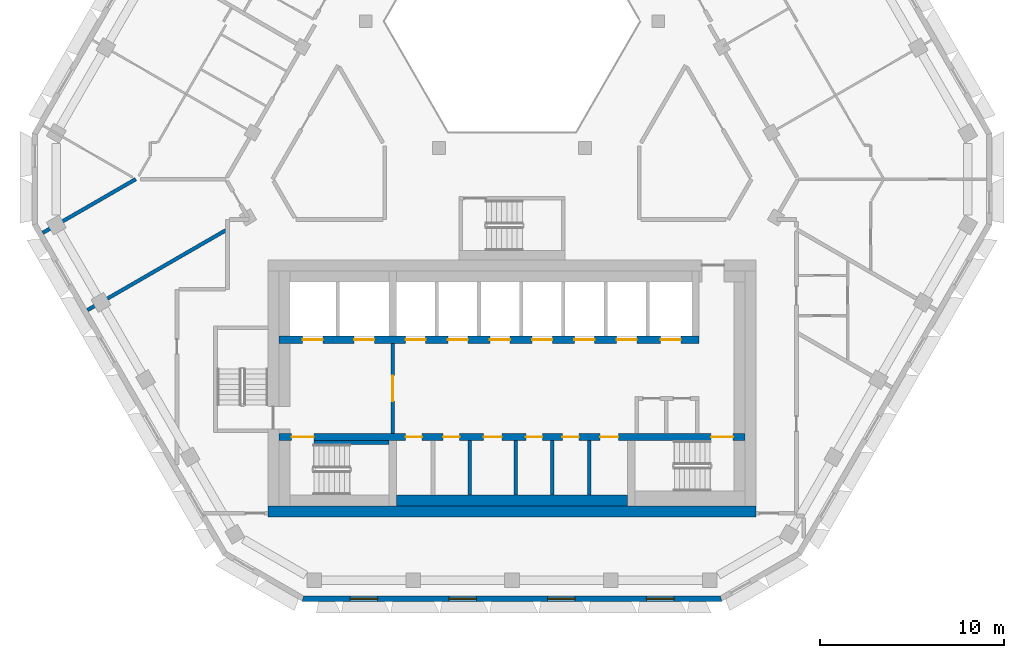
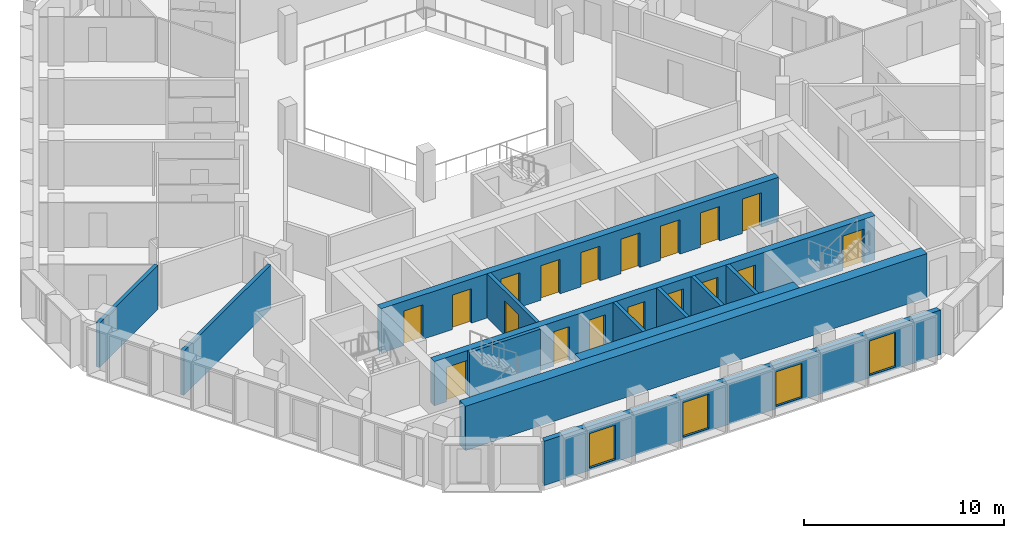
# One storey, part 3 of 15: 18 doors, 13 walls, 4 windows, 22 openings.
"""IFC4 building model written with IfcOpenShell, lengths in metres."""

import ifcopenshell
import ifcopenshell.guid

model = None  # the IFC model being written
_history = None  # IfcOwnerHistory: only IFC2X3 demands one
_inside = {}  # id of a spatial element -> (the spatial element, [elements in it])
_under = {}  # id of a project, library or spatial element -> (it, [spatial elements below it])
_declared = {}  # id of a project -> (the project, [libraries it declares])
_typed = {}  # id of a type object -> (the type object, [elements of that type])
_made_of = {}  # id of a material, layer set ... -> (it, [elements and type objects made of it])


def new_model(schema):
    """Start an empty IFC model of exactly this schema.

    Asked for "IFC4X3", IfcOpenShell would pick the latest addendum, in which some entities
    have other attributes; the version numbers below select the first issue.
    IFC2X3 requires an IfcOwnerHistory on every rooted entity: one is made here for all.
    """
    global model, _history
    if schema == "IFC4X3":
        model = ifcopenshell.file(schema_version=(4, 3, 0, 0))
    else:
        model = ifcopenshell.file(schema=schema)
    _inside.clear()
    _under.clear()
    _declared.clear()
    _typed.clear()
    _made_of.clear()
    _history = None
    if model.schema == "IFC2X3":
        org = make("IfcOrganization", Name="unknown")
        user = make(
            "IfcPersonAndOrganization",
            ThePerson=make("IfcPerson", FamilyName="unknown"),
            TheOrganization=org,
        )
        app = make(
            "IfcApplication",
            ApplicationDeveloper=org,
            Version="unknown",
            ApplicationFullName="unknown",
            ApplicationIdentifier="unknown",
        )
        _history = make(
            "IfcOwnerHistory",
            OwningUser=user,
            OwningApplication=app,
            ChangeAction="ADDED",
            CreationDate=0,
        )
    return model


def make(cls, **values):
    """One entity of the class cls with the attributes given. An attribute that is None is left unset."""
    return model.create_entity(
        cls, **{name: value for name, value in values.items() if value is not None}
    )


def rooted(cls, **values):
    """An entity with a GlobalId (a new one), such as an element, a storey or a relation."""
    return make(cls, GlobalId=ifcopenshell.guid.new(), OwnerHistory=_history, **values)


def si_unit(unit_type, name, prefix=None):
    """IfcSIUnit, for example si_unit("LENGTHUNIT", "METRE", prefix="MILLI")."""
    return make("IfcSIUnit", UnitType=unit_type, Prefix=prefix, Name=name)


def assignment(units):
    """IfcUnitAssignment: the units of a project."""
    return None if units is None else make("IfcUnitAssignment", Units=units)


def point(xyz):
    """IfcCartesianPoint."""
    return None if xyz is None else make("IfcCartesianPoint", Coordinates=xyz)


def direction(xyz):
    """IfcDirection."""
    return None if xyz is None else make("IfcDirection", DirectionRatios=xyz)


def frame(location, z_axis=None, x_axis=None):
    """IfcAxis2Placement3D, a coordinate frame: its origin and axes. An axis left out is left unset."""
    return make(
        "IfcAxis2Placement3D",
        Location=point(location),
        Axis=direction(z_axis),
        RefDirection=direction(x_axis),
    )


def frame_2d(location, x_axis=None):
    """IfcAxis2Placement2D, a coordinate frame in the plane: its origin and x axis."""
    return make(
        "IfcAxis2Placement2D", Location=point(location), RefDirection=direction(x_axis)
    )


def origin():
    """The frame at (0, 0, 0) with its axes left unset."""
    return frame((0.0, 0.0, 0.0))


def place(relative_to, where):
    """IfcLocalPlacement: puts the frame where relative to a parent placement (None: the world)."""
    return make(
        "IfcLocalPlacement", PlacementRelTo=relative_to, RelativePlacement=where
    )


def context(
    kind, dimensions, precision=None, world=None, true_north=None, identifier=None
):
    """IfcGeometricRepresentationContext, for example the 3D "Model" context."""
    return make(
        "IfcGeometricRepresentationContext",
        ContextIdentifier=identifier,
        ContextType=kind,
        CoordinateSpaceDimension=dimensions,
        Precision=precision,
        WorldCoordinateSystem=world,
        TrueNorth=true_north,
    )


def subcontext(parent, identifier, kind, view, scale=None):
    """IfcGeometricRepresentationSubContext, for example "Body" below "Model"."""
    return make(
        "IfcGeometricRepresentationSubContext",
        ContextIdentifier=identifier,
        ContextType=kind,
        ParentContext=parent,
        TargetScale=scale,
        TargetView=view,
    )


def project(units=None, contexts=None):
    """IfcProject with its units and contexts."""
    return rooted(
        "IfcProject",
        Name="project",
        RepresentationContexts=contexts,
        UnitsInContext=assignment(units),
    )


def spatial(cls, under=None, at=None, **own):
    """A site, building, storey or space (cls), placed at a placement, below another one or the project."""
    s = rooted(cls, ObjectPlacement=at, **own)
    if under is not None:
        _under.setdefault(under.id(), (under, []))[1].append(s)
    return s


def polyline(points):
    """IfcPolyline through the points."""
    return make("IfcPolyline", Points=[point(p) for p in points])


def profile(cls, at=None, kind="AREA", **sizes):
    """A parametric profile (cls). Its sizes go by their IFC names, for example OverallWidth=200.0."""
    return make(cls, ProfileType=kind, Position=at, **sizes)


def rectangle(**sizes):
    """IfcRectangleProfileDef."""
    return profile("IfcRectangleProfileDef", **sizes)


def outline(outer, holes=None, kind="AREA"):
    """IfcArbitraryClosedProfileDef: a profile drawn as a closed curve; with holes, ...WithVoids."""
    if holes is None:
        return make("IfcArbitraryClosedProfileDef", ProfileType=kind, OuterCurve=outer)
    return make(
        "IfcArbitraryProfileDefWithVoids",
        ProfileType=kind,
        OuterCurve=outer,
        InnerCurves=holes,
    )


def extrude(swept, where, along, depth):
    """IfcExtrudedAreaSolid: the profile swept, set in the frame where, extruded along a direction by depth."""
    return make(
        "IfcExtrudedAreaSolid",
        SweptArea=swept,
        Position=where,
        ExtrudedDirection=direction(along),
        Depth=depth,
    )


def shape(context_of_items, identifier, shape_type, items):
    """IfcShapeRepresentation: the items that make up one representation, for example the "Body"."""
    return make(
        "IfcShapeRepresentation",
        ContextOfItems=context_of_items,
        RepresentationIdentifier=identifier,
        RepresentationType=shape_type,
        Items=items,
    )


def material(Name=None, Category=None):
    """IfcMaterial."""
    return make("IfcMaterial", Name=Name, Category=Category)


def layer(
    of_material, thickness, ventilated=None, Name=None, Category=None, Priority=None
):
    """IfcMaterialLayer: one layer of a wall or slab, of a material (None: an air gap)."""
    return make(
        "IfcMaterialLayer",
        Material=of_material,
        LayerThickness=thickness,
        IsVentilated=ventilated,
        Name=Name,
        Category=Category,
        Priority=Priority,
    )


def layer_set(layers, Name=None):
    """IfcMaterialLayerSet."""
    return make("IfcMaterialLayerSet", MaterialLayers=layers, LayerSetName=Name)


def made_of(thing, what):
    """Note that an element or type object is made of a material, layer set ...; save() writes the relation."""
    if what is not None:
        _made_of.setdefault(what.id(), (what, []))[1].append(thing)
    return thing


def type_object(cls, material=None, **own):
    """A type object (cls), such as IfcWallType, which elements share."""
    return made_of(rooted(cls, **own), material)


def element(
    cls,
    number,
    at=None,
    inside=None,
    cuts=None,
    type_object=None,
    material=None,
    context=None,
    identifier="Body",
    shape_type=None,
    held_by="IfcProductDefinitionShape",
    body=None,
    shapes=None,
    **own,
):
    """One element of the class cls, such as IfcWall. Its Tag is "e" and its number.

    at: its placement. inside: the storey or other place that contains it. cuts: it is an
    opening in that element (IfcRelVoidsElement). A single representation is given by context,
    identifier, shape_type and body (its items); several are given by shapes. held_by: the class
    of the entity that holds the representations. save() writes the other relations.
    """
    e = rooted(cls, Tag="e%d" % number, ObjectPlacement=at, **own)
    if body is not None:
        shapes = [shape(context, identifier, shape_type, body)]
    if shapes is not None:
        e.Representation = make(held_by, Representations=shapes)
    if inside is not None:
        _inside.setdefault(inside.id(), (inside, []))[1].append(e)
    if cuts is not None:
        rooted(
            "IfcRelVoidsElement", RelatingBuildingElement=cuts, RelatedOpeningElement=e
        )
    if type_object is not None:
        _typed.setdefault(type_object.id(), (type_object, []))[1].append(e)
    return made_of(e, material)


def fill(opening, filler):
    """IfcRelFillsElement: the door or window that sits in an opening."""
    return rooted(
        "IfcRelFillsElement",
        RelatingOpeningElement=opening,
        RelatedBuildingElement=filler,
    )


def aggregate(whole, parts):
    """IfcRelAggregates: a whole, such as a stair, and the parts it consists of."""
    return rooted("IfcRelAggregates", RelatingObject=whole, RelatedObjects=parts)


def save(model, path):
    """Write the relations noted so far, then the file.

    IfcRelAggregates (storeys below a building ...), IfcRelContainedInSpatialStructure (elements
    in a storey), IfcRelDefinesByType, IfcRelAssociatesMaterial and IfcRelDeclares: one each for
    every whole, place, type object, material and project.
    """
    for whole, parts in _under.values():
        aggregate(whole, parts)
    for where, things in _inside.values():
        rooted(
            "IfcRelContainedInSpatialStructure",
            RelatedElements=things,
            RelatingStructure=where,
        )
    for kind, things in _typed.values():
        rooted("IfcRelDefinesByType", RelatedObjects=things, RelatingType=kind)
    for what, things in _made_of.values():
        rooted("IfcRelAssociatesMaterial", RelatedObjects=things, RelatingMaterial=what)
    for by, libraries in _declared.values():
        rooted("IfcRelDeclares", RelatingContext=by, RelatedDefinitions=libraries)
    model.write(path)


model = new_model("IFC4")

# Units and contexts
model_context = context("Model", 3, precision=1e-05, world=origin(), true_north=direction((0.0, 1.0)))
body_context = subcontext(model_context, "Body", "Model", "MODEL_VIEW")
ifc_project = project(units=[si_unit("LENGTHUNIT", "METRE"), si_unit("AREAUNIT", "SQUARE_METRE"), si_unit("VOLUMEUNIT", "CUBIC_METRE"), si_unit("PLANEANGLEUNIT", "RADIAN"), si_unit("MASSUNIT", "GRAM", prefix="KILO")], contexts=[model_context])

# Site, building, storey
site_placement = place(None, origin())
site = spatial("IfcSite", under=ifc_project, at=site_placement, CompositionType="ELEMENT")
building_placement = place(site_placement, origin())
building = spatial("IfcBuilding", under=site, at=building_placement, Name="Beryl Residences", CompositionType="ELEMENT")
storey_placement = place(building_placement, frame((0.0, 0.0, 175.199951171875)))
storey = spatial("IfcBuildingStorey", under=building, at=storey_placement, Name="L53", CompositionType="ELEMENT", Elevation=175.199951171875)

# Wall, openings, windows
ifc_material_1 = material(Name="Composite metal panel with mineral wool insulation")
ifc_layer_1 = layer(ifc_material_1, 0.300048828125)
ifc_layer_set_1 = layer_set([ifc_layer_1], Name="ES1 pale metal composite panel wall 300 mm")
wall_type_1 = type_object("IfcWallType", Name="ES1 pale metal composite panel wall 300 mm", PredefinedType="SOLIDWALL", material=ifc_layer_set_1)
wall_1_placement = place(storey_placement, frame((-11.430908203125, -23.449951171875, 0.0), z_axis=(0.0, 0.0, 1.0), x_axis=(1.0, 0.0, 0.0)))
wall_1 = element("IfcWall", 1, at=wall_1_placement, inside=storey, type_object=wall_type_1, Name="ES1 external wall L53 S", PredefinedType="SOLIDWALL", context=body_context, shape_type="SweptSolid", body=[
    extrude(outline(polyline([(0.0, -0.14990234375), (22.86181640625, -0.14990234375), (22.781494140625, 0.14990234375), (0.080322265625, 0.14990234375), (0.0, -0.14990234375)])), origin(), (0.0, 0.0, 1.0), 2.699951171875),
])
opening_1_placement = place(wall_1_placement, frame((2.60595703125, 0.0, 0.14990234375)))
opening_1 = element("IfcOpeningElement", 2, at=opening_1_placement, cuts=wall_1, Name="Opening W1", PredefinedType="OPENING", context=body_context, shape_type="SweptSolid", body=[
    extrude(rectangle(XDim=1.5, YDim=2.10009765625, at=frame_2d((0.75, 1.050048828125))), frame((0.0, 0.159912109375, 0.0), z_axis=(0.0, -1.0, 0.0), x_axis=(1.0, 0.0, 0.0)), (0.0, 0.0, 1.0), 0.320068359375),
])
opening_2_placement = place(wall_1_placement, frame((7.989990234375, 0.0, 0.14990234375)))
opening_2 = element("IfcOpeningElement", 3, at=opening_2_placement, cuts=wall_1, Name="Opening W1", PredefinedType="OPENING", context=body_context, shape_type="SweptSolid", body=[
    extrude(rectangle(XDim=1.5, YDim=2.10009765625, at=frame_2d((0.75, 1.050048828125))), frame((0.0, 0.159912109375, 0.0), z_axis=(0.0, -1.0, 0.0), x_axis=(1.0, 0.0, 0.0)), (0.0, 0.0, 1.0), 0.320068359375),
])
opening_3_placement = place(wall_1_placement, frame((13.3740234375, 0.0, 0.14990234375)))
opening_3 = element("IfcOpeningElement", 4, at=opening_3_placement, cuts=wall_1, Name="Opening W1", PredefinedType="OPENING", context=body_context, shape_type="SweptSolid", body=[
    extrude(rectangle(XDim=1.5, YDim=2.10009765625, at=frame_2d((0.75, 1.050048828125))), frame((0.0, 0.159912109375, 0.0), z_axis=(0.0, -1.0, 0.0), x_axis=(1.0, 0.0, 0.0)), (0.0, 0.0, 1.0), 0.320068359375),
])
opening_4_placement = place(wall_1_placement, frame((18.758056640625, 0.0, 0.14990234375)))
opening_4 = element("IfcOpeningElement", 5, at=opening_4_placement, cuts=wall_1, Name="Opening W1", PredefinedType="OPENING", context=body_context, shape_type="SweptSolid", body=[
    extrude(rectangle(XDim=1.5, YDim=2.10009765625, at=frame_2d((0.75, 1.050048828125))), frame((0.0, 0.159912109375, 0.0), z_axis=(0.0, -1.0, 0.0), x_axis=(1.0, 0.0, 0.0)), (0.0, 0.0, 1.0), 0.320068359375),
])
ifc_material_2 = material(Name="Aluminium and clear glass", Category="aluminium")
window_type = type_object("IfcWindowType", Name="W1 cell window 1500 x 2100 mm", PartitioningType="SINGLE_PANEL", PredefinedType="WINDOW", material=ifc_material_2)
window_1_placement = place(opening_1_placement, origin())
window_1 = element("IfcWindow", 6, at=window_1_placement, inside=storey, type_object=window_type, Name="W1 window L53 S 2", OverallHeight=2.10009765625, OverallWidth=1.5, PartitioningType="SINGLE_PANEL", PredefinedType="WINDOW", context=body_context, shape_type="SweptSolid", body=[
    extrude(rectangle(XDim=1.5, YDim=2.10009765625, at=frame_2d((0.75, 1.050048828125))), frame((0.0, 0.030029296875, 0.0), z_axis=(0.0, -1.0, 0.0), x_axis=(1.0, 0.0, 0.0)), (0.0, 0.0, 1.0), 0.06005859375),
])
fill(opening_1, window_1)
window_2_placement = place(opening_2_placement, origin())
window_2 = element("IfcWindow", 7, at=window_2_placement, inside=storey, type_object=window_type, Name="W1 window L53 S 4", OverallHeight=2.10009765625, OverallWidth=1.5, PartitioningType="SINGLE_PANEL", PredefinedType="WINDOW", context=body_context, shape_type="SweptSolid", body=[
    extrude(rectangle(XDim=1.5, YDim=2.10009765625, at=frame_2d((0.75, 1.050048828125))), frame((0.0, 0.030029296875, 0.0), z_axis=(0.0, -1.0, 0.0), x_axis=(1.0, 0.0, 0.0)), (0.0, 0.0, 1.0), 0.06005859375),
])
fill(opening_2, window_2)
window_3_placement = place(opening_3_placement, origin())
window_3 = element("IfcWindow", 8, at=window_3_placement, inside=storey, type_object=window_type, Name="W1 window L53 S 6", OverallHeight=2.10009765625, OverallWidth=1.5, PartitioningType="SINGLE_PANEL", PredefinedType="WINDOW", context=body_context, shape_type="SweptSolid", body=[
    extrude(rectangle(XDim=1.5, YDim=2.10009765625, at=frame_2d((0.75, 1.050048828125))), frame((0.0, 0.030029296875, 0.0), z_axis=(0.0, -1.0, 0.0), x_axis=(1.0, 0.0, 0.0)), (0.0, 0.0, 1.0), 0.06005859375),
])
fill(opening_3, window_3)
window_4_placement = place(opening_4_placement, origin())
window_4 = element("IfcWindow", 9, at=window_4_placement, inside=storey, type_object=window_type, Name="W1 window L53 S 8", OverallHeight=2.10009765625, OverallWidth=1.5, PartitioningType="SINGLE_PANEL", PredefinedType="WINDOW", context=body_context, shape_type="SweptSolid", body=[
    extrude(rectangle(XDim=1.5, YDim=2.10009765625, at=frame_2d((0.75, 1.050048828125))), frame((0.0, 0.030029296875, 0.0), z_axis=(0.0, -1.0, 0.0), x_axis=(1.0, 0.0, 0.0)), (0.0, 0.0, 1.0), 0.06005859375),
])
fill(opening_4, window_4)

# Wall, opening, door
ifc_material_3 = material(Name="Concrete masonry", Category="masonry")
ifc_layer_2 = layer(ifc_material_3, 0.199951171875)
ifc_layer_set_2 = layer_set([ifc_layer_2], Name="PT13 lobby wall 200 mm")
wall_type_2 = type_object("IfcWallType", Name="PT13 lobby wall 200 mm", PredefinedType="PARTITIONING", material=ifc_layer_set_2)
wall_2_placement = place(storey_placement, frame((-6.5, -14.449951171875, 0.0), z_axis=(0.0, 0.0, 1.0), x_axis=(0.0, 1.0, 0.0)))
wall_2 = element("IfcWall", 10, at=wall_2_placement, inside=storey, type_object=wall_type_2, Name="Lobby wall 12", PredefinedType="PARTITIONING", context=body_context, shape_type="SweptSolid", body=[
    extrude(rectangle(XDim=4.89990234375, YDim=0.199951171875, at=frame_2d((2.449951171875, 0.0))), origin(), (0.0, 0.0, 1.0), 2.699951171875),
])
opening_5_placement = place(wall_2_placement, frame((3.14990234375, 0.0, 0.0), z_axis=(0.0, 0.0, 1.0), x_axis=(-1.0, 0.0, 0.0)))
opening_5 = element("IfcOpeningElement", 11, at=opening_5_placement, cuts=wall_2, Name="Opening FD-FFL", PredefinedType="OPENING", context=body_context, shape_type="SweptSolid", body=[
    extrude(rectangle(XDim=1.39990234375, YDim=2.10009765625, at=frame_2d((0.699951171875, 1.050048828125))), frame((0.0, 0.10986328125, 0.0), z_axis=(0.0, -1.0, 0.0), x_axis=(1.0, 0.0, 0.0)), (0.0, 0.0, 1.0), 0.219970703125),
])
ifc_material_4 = material(Name="Steel door leaf in steel frame", Category="steel")
door_type_1 = type_object("IfcDoorType", Name="D5 lobby door 1400 x 2100 mm", OperationType="DOUBLE_DOOR_SINGLE_SWING", PredefinedType="DOOR", material=ifc_material_4)
door_1_placement = place(opening_5_placement, origin())
door_1 = element("IfcDoor", 12, at=door_1_placement, inside=storey, type_object=door_type_1, Name="Door FD-FFL L53 001", OperationType="DOUBLE_DOOR_SINGLE_SWING", OverallHeight=2.10009765625, OverallWidth=1.39990234375, PredefinedType="DOOR", context=body_context, shape_type="SweptSolid", body=[
    extrude(rectangle(XDim=1.39990234375, YDim=2.10009765625, at=frame_2d((0.699951171875, 1.050048828125))), frame((0.0, 0.02490234375, 0.0), z_axis=(0.0, -1.0, 0.0), x_axis=(1.0, 0.0, 0.0)), (0.0, 0.0, 1.0), 0.050048828125),
])
fill(opening_5, door_1)

# Walls
ifc_material_5 = material(Name="Acoustic double stud gypsum board wall")
ifc_layer_3 = layer(ifc_material_5, 0.199951171875)
ifc_layer_set_3 = layer_set([ifc_layer_3], Name="PT3 party wall 200 mm acoustic double stud")
wall_type_3 = type_object("IfcWallType", Name="PT3 party wall 200 mm acoustic double stud", PredefinedType="PARTITIONING", material=ifc_layer_set_3)
wall_3_placement = place(storey_placement, frame((-23.1298828125, -7.737060546875, 0.0), z_axis=(0.0, 0.0, 1.0), x_axis=(0.86598451299, 0.500070818246, 0.0)))
element("IfcWall", 13, at=wall_3_placement, inside=storey, type_object=wall_type_3, Name="Wall PT3 L53 010", PredefinedType="PARTITIONING", context=body_context, shape_type="SweptSolid", body=[
    extrude(rectangle(XDim=8.695068359375, YDim=0.199951171875, at=frame_2d((4.34765625, 0.0))), origin(), (0.0, 0.0, 1.0), 2.699951171875),
])
wall_4_placement = place(storey_placement, frame((-25.56298828125, -3.52392578125, 0.0), z_axis=(0.0, 0.0, 1.0), x_axis=(0.866128586522, 0.499821239653, 0.0)))
element("IfcWall", 14, at=wall_4_placement, inside=storey, type_object=wall_type_3, Name="Wall PT3 L53 011", PredefinedType="PARTITIONING", context=body_context, shape_type="SweptSolid", body=[
    extrude(rectangle(XDim=5.847900390625, YDim=0.199951171875, at=frame_2d((2.923828125, 0.0))), origin(), (0.0, 0.0, 1.0), 2.699951171875),
])
ifc_material_6 = material(Name="Concrete C40/50", Category="concrete")
ifc_layer_4 = layer(ifc_material_6, 0.199951171875)
ifc_layer_set_4 = layer_set([ifc_layer_4], Name="PT5 stair enclosure wall 200 mm reinforced concrete C40/50")
wall_type_4 = type_object("IfcWallType", Name="PT5 stair enclosure wall 200 mm reinforced concrete C40/50", PredefinedType="SOLIDWALL", material=ifc_layer_set_4)
wall_5_placement = place(storey_placement, frame((-10.800048828125, -14.949951171875, 0.0), z_axis=(0.0, 0.0, 1.0), x_axis=(1.0, 0.0, 0.0)))
element("IfcWall", 15, at=wall_5_placement, inside=storey, type_object=wall_type_4, Name="Stair wall 10", PredefinedType="SOLIDWALL", context=body_context, shape_type="SweptSolid", body=[
    extrude(rectangle(XDim=4.10009765625, YDim=0.199951171875, at=frame_2d((2.050048828125, 0.0))), origin(), (0.0, 0.0, 1.0), 2.699951171875),
])
ifc_material_7 = material(Name="Concrete masonry", Category="masonry")
ifc_layer_5 = layer(ifc_material_7, 0.199951171875)
ifc_layer_set_5 = layer_set([ifc_layer_5], Name="PT8-200 service room wall 200 mm")
wall_type_5 = type_object("IfcWallType", Name="PT8-200 service room wall 200 mm", PredefinedType="PARTITIONING", material=ifc_layer_set_5)
for number, where, z_axis, x_axis, name in (
    (16, (-2.300048828125, -17.800048828125, 0.0), (0.0, 0.0, 1.0), (0.0, 1.0, 0.0), "Core room wall 17"),
    (17, (0.199951171875, -17.800048828125, 0.0), (0.0, 0.0, 1.0), (0.0, 1.0, 0.0), "Core room wall 19"),
    (18, (2.199951171875, -17.800048828125, 0.0), (0.0, 0.0, 1.0), (0.0, 1.0, 0.0), "Core room wall 21"),
    (19, (4.199951171875, -17.800048828125, 0.0), (0.0, 0.0, 1.0), (0.0, 1.0, 0.0), "Core room wall 23"),
):
    element("IfcWall", number, at=place(storey_placement, frame(where, z_axis=z_axis, x_axis=x_axis)), inside=storey, type_object=wall_type_5, Name=name, PredefinedType="PARTITIONING", context=body_context, shape_type="SweptSolid", body=[
        extrude(rectangle(XDim=2.949951171875, YDim=0.199951171875, at=frame_2d((1.47509765625, 0.0))), origin(), (0.0, 0.0, 1.0), 2.699951171875),
    ])
ifc_material_8 = material(Name="Concrete masonry", Category="masonry")
ifc_layer_6 = layer(ifc_material_8, 0.60009765625)
ifc_layer_set_6 = layer_set([ifc_layer_6], Name="PT8-600 service room wall 600 mm")
wall_type_6 = type_object("IfcWallType", Name="PT8-600 service room wall 600 mm", PredefinedType="PARTITIONING", material=ifc_layer_set_6)
wall_6_placement = place(storey_placement, frame((-6.300048828125, -18.10009765625, 0.0), z_axis=(0.0, 0.0, 1.0), x_axis=(1.0, 0.0, 0.0)))
element("IfcWall", 20, at=wall_6_placement, inside=storey, type_object=wall_type_6, Name="Core room wall 13", PredefinedType="PARTITIONING", context=body_context, shape_type="SweptSolid", body=[
    extrude(rectangle(XDim=12.60009765625, YDim=0.60009765625, at=frame_2d((6.300048828125, 0.0))), origin(), (0.0, 0.0, 1.0), 2.699951171875),
])
ifc_material_9 = material(Name="Concrete C50/60", Category="concrete")
ifc_layer_7 = layer(ifc_material_9, 0.60009765625)
ifc_layer_set_7 = layer_set([ifc_layer_7], Name="SW4 core outer wall 600 mm C50/60")
wall_type_7 = type_object("IfcWallType", Name="SW4 core outer wall 600 mm C50/60", PredefinedType="SHEAR", material=ifc_layer_set_7)
wall_7_placement = place(storey_placement, frame((-13.300048828125, -18.699951171875, 0.0), z_axis=(0.0, 0.0, 1.0), x_axis=(1.0, 0.0, 0.0)))
element("IfcWall", 21, at=wall_7_placement, inside=storey, type_object=wall_type_7, Name="Core wall S L53", PredefinedType="SHEAR", context=body_context, shape_type="SweptSolid", body=[
    extrude(rectangle(XDim=26.60009765625, YDim=0.60009765625, at=frame_2d((13.300048828125, 0.0))), origin(), (0.0, 0.0, 1.0), 2.699951171875),
])

# Wall, openings, doors
ifc_material_10 = material(Name="Concrete C50/60", Category="concrete")
ifc_layer_8 = layer(ifc_material_10, 0.39990234375)
ifc_layer_set_8 = layer_set([ifc_layer_8], Name="SW9 core internal wall 400 mm C50/60")
wall_type_8 = type_object("IfcWallType", Name="SW9 core internal wall 400 mm C50/60", PredefinedType="SHEAR", material=ifc_layer_set_8)
wall_8_placement = place(storey_placement, frame((-12.699951171875, -14.64990234375, 0.0), z_axis=(0.0, 0.0, 1.0), x_axis=(1.0, 0.0, 0.0)))
wall_8 = element("IfcWall", 22, at=wall_8_placement, inside=storey, type_object=wall_type_8, Name="Core wall SP1 L53", PredefinedType="SHEAR", context=body_context, shape_type="SweptSolid", body=[
    extrude(rectangle(XDim=25.39990234375, YDim=0.39990234375, at=frame_2d((12.699951171875, 0.0))), origin(), (0.0, 0.0, 1.0), 2.699951171875),
])
opening_6_placement = place(wall_8_placement, frame((1.89990234375, 0.0, 0.0), z_axis=(0.0, 0.0, 1.0), x_axis=(-1.0, 0.0, 0.0)))
opening_6 = element("IfcOpeningElement", 23, at=opening_6_placement, cuts=wall_8, Name="Opening SD-1", PredefinedType="OPENING", context=body_context, shape_type="SweptSolid", body=[
    extrude(rectangle(XDim=1.199951171875, YDim=2.10009765625, at=frame_2d((0.60009765625, 1.050048828125))), frame((0.0, 0.2099609375, 0.0), z_axis=(0.0, -1.0, 0.0), x_axis=(1.0, 0.0, 0.0)), (0.0, 0.0, 1.0), 0.419921875),
])
opening_7_placement = place(wall_8_placement, frame((24.75, 0.0, 0.0), z_axis=(0.0, 0.0, 1.0), x_axis=(-1.0, 0.0, 0.0)))
opening_7 = element("IfcOpeningElement", 24, at=opening_7_placement, cuts=wall_8, Name="Opening SD-3", PredefinedType="OPENING", context=body_context, shape_type="SweptSolid", body=[
    extrude(rectangle(XDim=1.199951171875, YDim=2.10009765625, at=frame_2d((0.60009765625, 1.050048828125))), frame((0.0, 0.2099609375, 0.0), z_axis=(0.0, -1.0, 0.0), x_axis=(1.0, 0.0, 0.0)), (0.0, 0.0, 1.0), 0.419921875),
])
opening_8_placement = place(wall_8_placement, frame((7.7998046875, 0.0, 0.0), z_axis=(0.0, 0.0, 1.0), x_axis=(-1.0, 0.0, 0.0)))
opening_8 = element("IfcOpeningElement", 25, at=opening_8_placement, cuts=wall_8, Name="Opening CD-D-S1-900", PredefinedType="OPENING", context=body_context, shape_type="SweptSolid", body=[
    extrude(rectangle(XDim=0.89990234375, YDim=2.10009765625, at=frame_2d((0.449951171875, 1.050048828125))), frame((0.0, 0.2099609375, 0.0), z_axis=(0.0, -1.0, 0.0), x_axis=(1.0, 0.0, 0.0)), (0.0, 0.0, 1.0), 0.419921875),
])
opening_9_placement = place(wall_8_placement, frame((9.849853515625, 0.0, 0.0), z_axis=(0.0, 0.0, 1.0), x_axis=(-1.0, 0.0, 0.0)))
opening_9 = element("IfcOpeningElement", 26, at=opening_9_placement, cuts=wall_8, Name="Opening CD-D-S2-900", PredefinedType="OPENING", context=body_context, shape_type="SweptSolid", body=[
    extrude(rectangle(XDim=0.89990234375, YDim=2.10009765625, at=frame_2d((0.449951171875, 1.050048828125))), frame((0.0, 0.2099609375, 0.0), z_axis=(0.0, -1.0, 0.0), x_axis=(1.0, 0.0, 0.0)), (0.0, 0.0, 1.0), 0.419921875),
])
opening_10_placement = place(wall_8_placement, frame((12.14990234375, 0.0, 0.0), z_axis=(0.0, 0.0, 1.0), x_axis=(-1.0, 0.0, 0.0)))
opening_10 = element("IfcOpeningElement", 27, at=opening_10_placement, cuts=wall_8, Name="Opening CD-D-S3", PredefinedType="OPENING", context=body_context, shape_type="SweptSolid", body=[
    extrude(rectangle(XDim=1.0, YDim=2.10009765625, at=frame_2d((0.5, 1.050048828125))), frame((0.0, 0.2099609375, 0.0), z_axis=(0.0, -1.0, 0.0), x_axis=(1.0, 0.0, 0.0)), (0.0, 0.0, 1.0), 0.419921875),
])
opening_11_placement = place(wall_8_placement, frame((14.349853515625, 0.0, 0.0), z_axis=(0.0, 0.0, 1.0), x_axis=(-1.0, 0.0, 0.0)))
opening_11 = element("IfcOpeningElement", 28, at=opening_11_placement, cuts=wall_8, Name="Opening CD-D-S4-900", PredefinedType="OPENING", context=body_context, shape_type="SweptSolid", body=[
    extrude(rectangle(XDim=0.89990234375, YDim=2.10009765625, at=frame_2d((0.449951171875, 1.050048828125))), frame((0.0, 0.2099609375, 0.0), z_axis=(0.0, -1.0, 0.0), x_axis=(1.0, 0.0, 0.0)), (0.0, 0.0, 1.0), 0.419921875),
])
opening_12_placement = place(wall_8_placement, frame((16.349853515625, 0.0, 0.0), z_axis=(0.0, 0.0, 1.0), x_axis=(-1.0, 0.0, 0.0)))
opening_12 = element("IfcOpeningElement", 29, at=opening_12_placement, cuts=wall_8, Name="Opening CD-D-S5-900", PredefinedType="OPENING", context=body_context, shape_type="SweptSolid", body=[
    extrude(rectangle(XDim=0.89990234375, YDim=2.10009765625, at=frame_2d((0.449951171875, 1.050048828125))), frame((0.0, 0.2099609375, 0.0), z_axis=(0.0, -1.0, 0.0), x_axis=(1.0, 0.0, 0.0)), (0.0, 0.0, 1.0), 0.419921875),
])
opening_13_placement = place(wall_8_placement, frame((18.5, 0.0, 0.0), z_axis=(0.0, 0.0, 1.0), x_axis=(-1.0, 0.0, 0.0)))
opening_13 = element("IfcOpeningElement", 30, at=opening_13_placement, cuts=wall_8, Name="Opening CD-D-S6", PredefinedType="OPENING", context=body_context, shape_type="SweptSolid", body=[
    extrude(rectangle(XDim=1.0, YDim=2.10009765625, at=frame_2d((0.5, 1.050048828125))), frame((0.0, 0.2099609375, 0.0), z_axis=(0.0, -1.0, 0.0), x_axis=(1.0, 0.0, 0.0)), (0.0, 0.0, 1.0), 0.419921875),
])
ifc_material_11 = material(Name="Steel door leaf in steel frame", Category="steel")
door_type_2 = type_object("IfcDoorType", Name="D18 service room door 1000 x 2100 mm", OperationType="SINGLE_SWING_LEFT", PredefinedType="DOOR", material=ifc_material_11)
door_2_placement = place(opening_10_placement, origin())
door_2 = element("IfcDoor", 31, at=door_2_placement, inside=storey, type_object=door_type_2, Name="Door CD-D-S3 L53 001", OperationType="SINGLE_SWING_RIGHT", OverallHeight=2.10009765625, OverallWidth=1.0, PredefinedType="DOOR", context=body_context, shape_type="SweptSolid", body=[
    extrude(rectangle(XDim=1.0, YDim=2.10009765625, at=frame_2d((0.5, 1.050048828125))), frame((0.0, 0.02490234375, 0.0), z_axis=(0.0, -1.0, 0.0), x_axis=(1.0, 0.0, 0.0)), (0.0, 0.0, 1.0), 0.050048828125),
])
fill(opening_10, door_2)
door_3_placement = place(opening_13_placement, origin())
door_3 = element("IfcDoor", 32, at=door_3_placement, inside=storey, type_object=door_type_2, Name="Door CD-D-S6 L53 001", OperationType="SINGLE_SWING_LEFT", OverallHeight=2.10009765625, OverallWidth=1.0, PredefinedType="DOOR", context=body_context, shape_type="SweptSolid", body=[
    extrude(rectangle(XDim=1.0, YDim=2.10009765625, at=frame_2d((0.5, 1.050048828125))), frame((0.0, 0.02490234375, 0.0), z_axis=(0.0, -1.0, 0.0), x_axis=(1.0, 0.0, 0.0)), (0.0, 0.0, 1.0), 0.050048828125),
])
fill(opening_13, door_3)
ifc_material_12 = material(Name="Steel door leaf in steel frame", Category="steel")
door_type_3 = type_object("IfcDoorType", Name="D4 stair door 1200 x 2100 mm", OperationType="SINGLE_SWING_LEFT", PredefinedType="DOOR", material=ifc_material_12)
door_4_placement = place(opening_6_placement, origin())
door_4 = element("IfcDoor", 33, at=door_4_placement, inside=storey, type_object=door_type_3, Name="Door SD-1 L53 001", OperationType="SINGLE_SWING_RIGHT", OverallHeight=2.10009765625, OverallWidth=1.199951171875, PredefinedType="DOOR", context=body_context, shape_type="SweptSolid", body=[
    extrude(rectangle(XDim=1.199951171875, YDim=2.10009765625, at=frame_2d((0.60009765625, 1.050048828125))), frame((0.0, 0.02490234375, 0.0), z_axis=(0.0, -1.0, 0.0), x_axis=(1.0, 0.0, 0.0)), (0.0, 0.0, 1.0), 0.050048828125),
])
fill(opening_6, door_4)
door_5_placement = place(opening_7_placement, origin())
door_5 = element("IfcDoor", 34, at=door_5_placement, inside=storey, type_object=door_type_3, Name="Door SD-3 L53 001", OperationType="SINGLE_SWING_RIGHT", OverallHeight=2.10009765625, OverallWidth=1.199951171875, PredefinedType="DOOR", context=body_context, shape_type="SweptSolid", body=[
    extrude(rectangle(XDim=1.199951171875, YDim=2.10009765625, at=frame_2d((0.60009765625, 1.050048828125))), frame((0.0, 0.02490234375, 0.0), z_axis=(0.0, -1.0, 0.0), x_axis=(1.0, 0.0, 0.0)), (0.0, 0.0, 1.0), 0.050048828125),
])
fill(opening_7, door_5)
ifc_material_13 = material(Name="Steel door leaf in steel frame", Category="steel")
door_type_4 = type_object("IfcDoorType", Name="D6 service room door 900 x 2100 mm", OperationType="SINGLE_SWING_LEFT", PredefinedType="DOOR", material=ifc_material_13)
door_6_placement = place(opening_8_placement, origin())
door_6 = element("IfcDoor", 35, at=door_6_placement, inside=storey, type_object=door_type_4, Name="Door CD-D-S1-900 L53 001", OperationType="SINGLE_SWING_RIGHT", OverallHeight=2.10009765625, OverallWidth=0.89990234375, PredefinedType="DOOR", context=body_context, shape_type="SweptSolid", body=[
    extrude(rectangle(XDim=0.89990234375, YDim=2.10009765625, at=frame_2d((0.449951171875, 1.050048828125))), frame((0.0, 0.02490234375, 0.0), z_axis=(0.0, -1.0, 0.0), x_axis=(1.0, 0.0, 0.0)), (0.0, 0.0, 1.0), 0.050048828125),
])
fill(opening_8, door_6)
door_7_placement = place(opening_9_placement, origin())
door_7 = element("IfcDoor", 36, at=door_7_placement, inside=storey, type_object=door_type_4, Name="Door CD-D-S2-900 L53 001", OperationType="SINGLE_SWING_LEFT", OverallHeight=2.10009765625, OverallWidth=0.89990234375, PredefinedType="DOOR", context=body_context, shape_type="SweptSolid", body=[
    extrude(rectangle(XDim=0.89990234375, YDim=2.10009765625, at=frame_2d((0.449951171875, 1.050048828125))), frame((0.0, 0.02490234375, 0.0), z_axis=(0.0, -1.0, 0.0), x_axis=(1.0, 0.0, 0.0)), (0.0, 0.0, 1.0), 0.050048828125),
])
fill(opening_9, door_7)
door_8_placement = place(opening_11_placement, origin())
door_8 = element("IfcDoor", 37, at=door_8_placement, inside=storey, type_object=door_type_4, Name="Door CD-D-S4-900 L53 001", OperationType="SINGLE_SWING_LEFT", OverallHeight=2.10009765625, OverallWidth=0.89990234375, PredefinedType="DOOR", context=body_context, shape_type="SweptSolid", body=[
    extrude(rectangle(XDim=0.89990234375, YDim=2.10009765625, at=frame_2d((0.449951171875, 1.050048828125))), frame((0.0, 0.02490234375, 0.0), z_axis=(0.0, -1.0, 0.0), x_axis=(1.0, 0.0, 0.0)), (0.0, 0.0, 1.0), 0.050048828125),
])
fill(opening_11, door_8)
door_9_placement = place(opening_12_placement, origin())
door_9 = element("IfcDoor", 38, at=door_9_placement, inside=storey, type_object=door_type_4, Name="Door CD-D-S5-900 L53 001", OperationType="SINGLE_SWING_RIGHT", OverallHeight=2.10009765625, OverallWidth=0.89990234375, PredefinedType="DOOR", context=body_context, shape_type="SweptSolid", body=[
    extrude(rectangle(XDim=0.89990234375, YDim=2.10009765625, at=frame_2d((0.449951171875, 1.050048828125))), frame((0.0, 0.02490234375, 0.0), z_axis=(0.0, -1.0, 0.0), x_axis=(1.0, 0.0, 0.0)), (0.0, 0.0, 1.0), 0.050048828125),
])
fill(opening_12, door_9)

wall_9_placement = place(storey_placement, frame((-12.699951171875, -9.35009765625, 0.0), z_axis=(0.0, 0.0, 1.0), x_axis=(1.0, 0.0, 0.0)))
wall_9 = element("IfcWall", 39, at=wall_9_placement, inside=storey, type_object=wall_type_8, Name="Core wall SP2 L53", PredefinedType="SHEAR", context=body_context, shape_type="SweptSolid", body=[
    extrude(rectangle(XDim=22.89990234375, YDim=0.39990234375, at=frame_2d((11.449951171875, 0.0))), origin(), (0.0, 0.0, 1.0), 2.699951171875),
])
opening_14_placement = place(wall_9_placement, frame((1.300048828125, 0.0, 0.0)))
opening_14 = element("IfcOpeningElement", 40, at=opening_14_placement, cuts=wall_9, Name="Opening LD-FF1", PredefinedType="OPENING", context=body_context, shape_type="SweptSolid", body=[
    extrude(rectangle(XDim=1.10009765625, YDim=2.10009765625, at=frame_2d((0.550048828125, 1.050048828125))), frame((0.0, 0.2099609375, 0.0), z_axis=(0.0, -1.0, 0.0), x_axis=(1.0, 0.0, 0.0)), (0.0, 0.0, 1.0), 0.419921875),
])
opening_15_placement = place(wall_9_placement, frame((4.10009765625, 0.0, 0.0)))
opening_15 = element("IfcOpeningElement", 41, at=opening_15_placement, cuts=wall_9, Name="Opening LD-FF2", PredefinedType="OPENING", context=body_context, shape_type="SweptSolid", body=[
    extrude(rectangle(XDim=1.10009765625, YDim=2.10009765625, at=frame_2d((0.550048828125, 1.050048828125))), frame((0.0, 0.2099609375, 0.0), z_axis=(0.0, -1.0, 0.0), x_axis=(1.0, 0.0, 0.0)), (0.0, 0.0, 1.0), 0.419921875),
])
opening_16_placement = place(wall_9_placement, frame((6.89990234375, 0.0, 0.0)))
opening_16 = element("IfcOpeningElement", 42, at=opening_16_placement, cuts=wall_9, Name="Opening LD-HR1", PredefinedType="OPENING", context=body_context, shape_type="SweptSolid", body=[
    extrude(rectangle(XDim=1.10009765625, YDim=2.10009765625, at=frame_2d((0.550048828125, 1.050048828125))), frame((0.0, 0.2099609375, 0.0), z_axis=(0.0, -1.0, 0.0), x_axis=(1.0, 0.0, 0.0)), (0.0, 0.0, 1.0), 0.419921875),
])
opening_17_placement = place(wall_9_placement, frame((9.199951171875, 0.0, 0.0)))
opening_17 = element("IfcOpeningElement", 43, at=opening_17_placement, cuts=wall_9, Name="Opening LD-HR2", PredefinedType="OPENING", context=body_context, shape_type="SweptSolid", body=[
    extrude(rectangle(XDim=1.10009765625, YDim=2.10009765625, at=frame_2d((0.550048828125, 1.050048828125))), frame((0.0, 0.2099609375, 0.0), z_axis=(0.0, -1.0, 0.0), x_axis=(1.0, 0.0, 0.0)), (0.0, 0.0, 1.0), 0.419921875),
])
opening_18_placement = place(wall_9_placement, frame((11.5, 0.0, 0.0)))
opening_18 = element("IfcOpeningElement", 44, at=opening_18_placement, cuts=wall_9, Name="Opening LD-HR3", PredefinedType="OPENING", context=body_context, shape_type="SweptSolid", body=[
    extrude(rectangle(XDim=1.10009765625, YDim=2.10009765625, at=frame_2d((0.550048828125, 1.050048828125))), frame((0.0, 0.2099609375, 0.0), z_axis=(0.0, -1.0, 0.0), x_axis=(1.0, 0.0, 0.0)), (0.0, 0.0, 1.0), 0.419921875),
])
opening_19_placement = place(wall_9_placement, frame((13.800048828125, 0.0, 0.0)))
opening_19 = element("IfcOpeningElement", 45, at=opening_19_placement, cuts=wall_9, Name="Opening LD-HR4", PredefinedType="OPENING", context=body_context, shape_type="SweptSolid", body=[
    extrude(rectangle(XDim=1.10009765625, YDim=2.10009765625, at=frame_2d((0.550048828125, 1.050048828125))), frame((0.0, 0.2099609375, 0.0), z_axis=(0.0, -1.0, 0.0), x_axis=(1.0, 0.0, 0.0)), (0.0, 0.0, 1.0), 0.419921875),
])
opening_20_placement = place(wall_9_placement, frame((16.10009765625, 0.0, 0.0)))
opening_20 = element("IfcOpeningElement", 46, at=opening_20_placement, cuts=wall_9, Name="Opening LD-HR5", PredefinedType="OPENING", context=body_context, shape_type="SweptSolid", body=[
    extrude(rectangle(XDim=1.10009765625, YDim=2.10009765625, at=frame_2d((0.550048828125, 1.050048828125))), frame((0.0, 0.2099609375, 0.0), z_axis=(0.0, -1.0, 0.0), x_axis=(1.0, 0.0, 0.0)), (0.0, 0.0, 1.0), 0.419921875),
])
opening_21_placement = place(wall_9_placement, frame((18.39990234375, 0.0, 0.0)))
opening_21 = element("IfcOpeningElement", 47, at=opening_21_placement, cuts=wall_9, Name="Opening LD-HR6", PredefinedType="OPENING", context=body_context, shape_type="SweptSolid", body=[
    extrude(rectangle(XDim=1.10009765625, YDim=2.10009765625, at=frame_2d((0.550048828125, 1.050048828125))), frame((0.0, 0.2099609375, 0.0), z_axis=(0.0, -1.0, 0.0), x_axis=(1.0, 0.0, 0.0)), (0.0, 0.0, 1.0), 0.419921875),
])
opening_22_placement = place(wall_9_placement, frame((20.800048828125, 0.0, 0.0)))
opening_22 = element("IfcOpeningElement", 48, at=opening_22_placement, cuts=wall_9, Name="Opening LD-SL1", PredefinedType="OPENING", context=body_context, shape_type="SweptSolid", body=[
    extrude(rectangle(XDim=1.10009765625, YDim=2.10009765625, at=frame_2d((0.550048828125, 1.050048828125))), frame((0.0, 0.2099609375, 0.0), z_axis=(0.0, -1.0, 0.0), x_axis=(1.0, 0.0, 0.0)), (0.0, 0.0, 1.0), 0.419921875),
])
ifc_material_14 = material(Name="Stainless steel sliding door", Category="steel")
door_type_5 = type_object("IfcDoorType", Name="LD1 lift landing door 1100 x 2100 mm", OperationType="DOUBLE_DOOR_SLIDING", PredefinedType="DOOR", material=ifc_material_14)
door_10_placement = place(opening_14_placement, origin())
door_10 = element("IfcDoor", 49, at=door_10_placement, inside=storey, type_object=door_type_5, Name="Lift landing door FF1", OperationType="DOUBLE_DOOR_SLIDING", OverallHeight=2.10009765625, OverallWidth=1.10009765625, PredefinedType="DOOR", context=body_context, shape_type="SweptSolid", body=[
    extrude(rectangle(XDim=1.10009765625, YDim=2.10009765625, at=frame_2d((0.550048828125, 1.050048828125))), frame((0.0, 0.02490234375, 0.0), z_axis=(0.0, -1.0, 0.0), x_axis=(1.0, 0.0, 0.0)), (0.0, 0.0, 1.0), 0.050048828125),
])
fill(opening_14, door_10)
door_11_placement = place(opening_15_placement, origin())
door_11 = element("IfcDoor", 50, at=door_11_placement, inside=storey, type_object=door_type_5, Name="Lift landing door FF2", OperationType="DOUBLE_DOOR_SLIDING", OverallHeight=2.10009765625, OverallWidth=1.10009765625, PredefinedType="DOOR", context=body_context, shape_type="SweptSolid", body=[
    extrude(rectangle(XDim=1.10009765625, YDim=2.10009765625, at=frame_2d((0.550048828125, 1.050048828125))), frame((0.0, 0.02490234375, 0.0), z_axis=(0.0, -1.0, 0.0), x_axis=(1.0, 0.0, 0.0)), (0.0, 0.0, 1.0), 0.050048828125),
])
fill(opening_15, door_11)
door_12_placement = place(opening_16_placement, origin())
door_12 = element("IfcDoor", 51, at=door_12_placement, inside=storey, type_object=door_type_5, Name="Lift landing door HR1", OperationType="DOUBLE_DOOR_SLIDING", OverallHeight=2.10009765625, OverallWidth=1.10009765625, PredefinedType="DOOR", context=body_context, shape_type="SweptSolid", body=[
    extrude(rectangle(XDim=1.10009765625, YDim=2.10009765625, at=frame_2d((0.550048828125, 1.050048828125))), frame((0.0, 0.02490234375, 0.0), z_axis=(0.0, -1.0, 0.0), x_axis=(1.0, 0.0, 0.0)), (0.0, 0.0, 1.0), 0.050048828125),
])
fill(opening_16, door_12)
door_13_placement = place(opening_17_placement, origin())
door_13 = element("IfcDoor", 52, at=door_13_placement, inside=storey, type_object=door_type_5, Name="Lift landing door HR2", OperationType="DOUBLE_DOOR_SLIDING", OverallHeight=2.10009765625, OverallWidth=1.10009765625, PredefinedType="DOOR", context=body_context, shape_type="SweptSolid", body=[
    extrude(rectangle(XDim=1.10009765625, YDim=2.10009765625, at=frame_2d((0.550048828125, 1.050048828125))), frame((0.0, 0.02490234375, 0.0), z_axis=(0.0, -1.0, 0.0), x_axis=(1.0, 0.0, 0.0)), (0.0, 0.0, 1.0), 0.050048828125),
])
fill(opening_17, door_13)
door_14_placement = place(opening_18_placement, origin())
door_14 = element("IfcDoor", 53, at=door_14_placement, inside=storey, type_object=door_type_5, Name="Lift landing door HR3", OperationType="DOUBLE_DOOR_SLIDING", OverallHeight=2.10009765625, OverallWidth=1.10009765625, PredefinedType="DOOR", context=body_context, shape_type="SweptSolid", body=[
    extrude(rectangle(XDim=1.10009765625, YDim=2.10009765625, at=frame_2d((0.550048828125, 1.050048828125))), frame((0.0, 0.02490234375, 0.0), z_axis=(0.0, -1.0, 0.0), x_axis=(1.0, 0.0, 0.0)), (0.0, 0.0, 1.0), 0.050048828125),
])
fill(opening_18, door_14)
door_15_placement = place(opening_19_placement, origin())
door_15 = element("IfcDoor", 54, at=door_15_placement, inside=storey, type_object=door_type_5, Name="Lift landing door HR4", OperationType="DOUBLE_DOOR_SLIDING", OverallHeight=2.10009765625, OverallWidth=1.10009765625, PredefinedType="DOOR", context=body_context, shape_type="SweptSolid", body=[
    extrude(rectangle(XDim=1.10009765625, YDim=2.10009765625, at=frame_2d((0.550048828125, 1.050048828125))), frame((0.0, 0.02490234375, 0.0), z_axis=(0.0, -1.0, 0.0), x_axis=(1.0, 0.0, 0.0)), (0.0, 0.0, 1.0), 0.050048828125),
])
fill(opening_19, door_15)
door_16_placement = place(opening_20_placement, origin())
door_16 = element("IfcDoor", 55, at=door_16_placement, inside=storey, type_object=door_type_5, Name="Lift landing door HR5", OperationType="DOUBLE_DOOR_SLIDING", OverallHeight=2.10009765625, OverallWidth=1.10009765625, PredefinedType="DOOR", context=body_context, shape_type="SweptSolid", body=[
    extrude(rectangle(XDim=1.10009765625, YDim=2.10009765625, at=frame_2d((0.550048828125, 1.050048828125))), frame((0.0, 0.02490234375, 0.0), z_axis=(0.0, -1.0, 0.0), x_axis=(1.0, 0.0, 0.0)), (0.0, 0.0, 1.0), 0.050048828125),
])
fill(opening_20, door_16)
door_17_placement = place(opening_21_placement, origin())
door_17 = element("IfcDoor", 56, at=door_17_placement, inside=storey, type_object=door_type_5, Name="Lift landing door HR6", OperationType="DOUBLE_DOOR_SLIDING", OverallHeight=2.10009765625, OverallWidth=1.10009765625, PredefinedType="DOOR", context=body_context, shape_type="SweptSolid", body=[
    extrude(rectangle(XDim=1.10009765625, YDim=2.10009765625, at=frame_2d((0.550048828125, 1.050048828125))), frame((0.0, 0.02490234375, 0.0), z_axis=(0.0, -1.0, 0.0), x_axis=(1.0, 0.0, 0.0)), (0.0, 0.0, 1.0), 0.050048828125),
])
fill(opening_21, door_17)
door_18_placement = place(opening_22_placement, origin())
door_18 = element("IfcDoor", 57, at=door_18_placement, inside=storey, type_object=door_type_5, Name="Lift landing door SL1", OperationType="DOUBLE_DOOR_SLIDING", OverallHeight=2.10009765625, OverallWidth=1.10009765625, PredefinedType="DOOR", context=body_context, shape_type="SweptSolid", body=[
    extrude(rectangle(XDim=1.10009765625, YDim=2.10009765625, at=frame_2d((0.550048828125, 1.050048828125))), frame((0.0, 0.02490234375, 0.0), z_axis=(0.0, -1.0, 0.0), x_axis=(1.0, 0.0, 0.0)), (0.0, 0.0, 1.0), 0.050048828125),
])
fill(opening_22, door_18)

save(model, "model.ifc")
